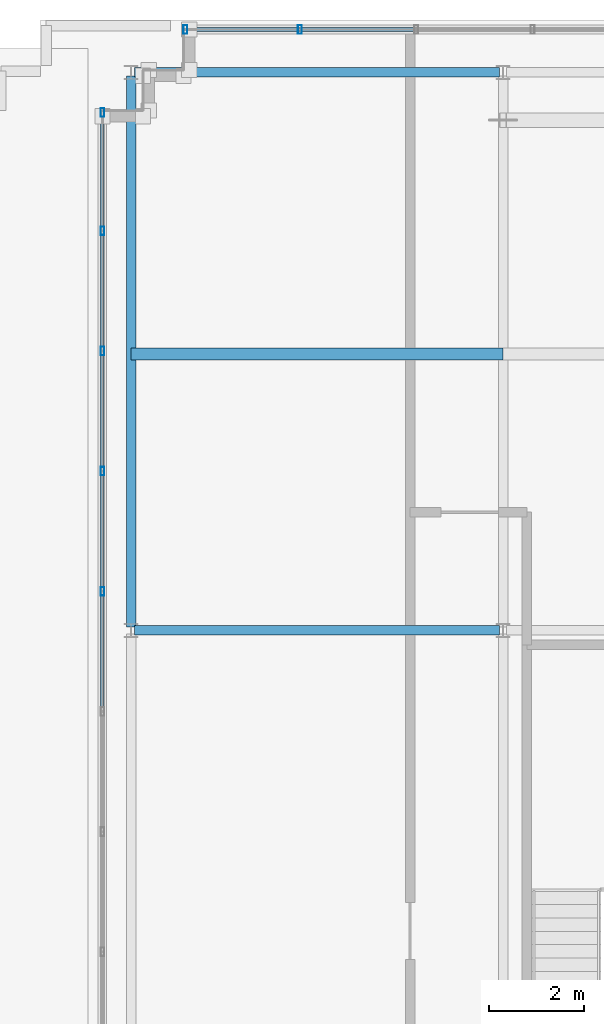
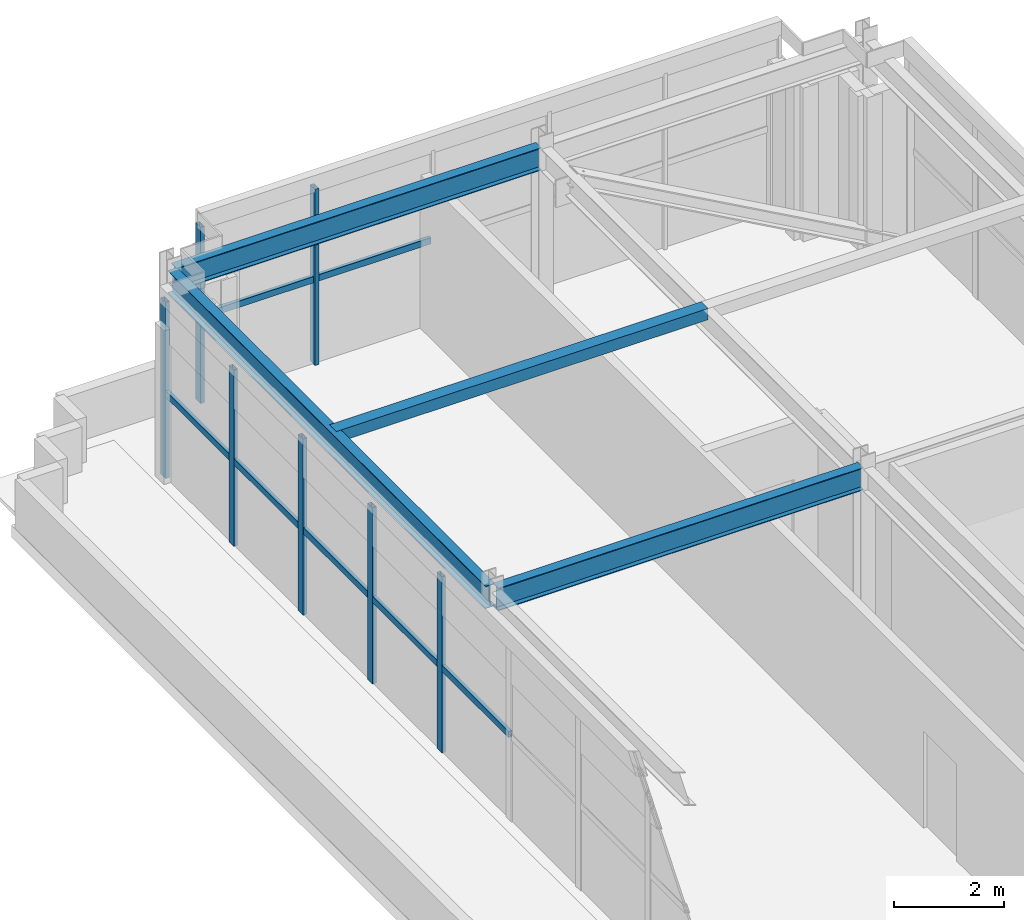
# One storey, part 14 of 25: 15 members, 3 beams, 2 elements without a shape of their own.
"""IFC4 building model written with IfcOpenShell, lengths in metres."""

from ifc_helpers import new_model, si_unit, direction, frame, origin, origin_2d, place, context, subcontext, project, spatial, hollow_rectangle, i_section, extrude, source, transform, mapped, material, material_profile, profile_set, type_object, element, aggregate, save


model = new_model("IFC4")

# Units and contexts
model_context = context("Model", 3, precision=1e-05, world=origin(), true_north=direction((0.0, 1.0)))
body_context = subcontext(model_context, "Body", "Model", "MODEL_VIEW")
ifc_project = project(units=[si_unit("LENGTHUNIT", "METRE"), si_unit("AREAUNIT", "SQUARE_METRE"), si_unit("VOLUMEUNIT", "CUBIC_METRE"), si_unit("PLANEANGLEUNIT", "RADIAN"), si_unit("MASSUNIT", "GRAM", prefix="KILO")], contexts=[model_context])

# Site, building, storey
site_placement = place(None, origin())
site = spatial("IfcSite", under=ifc_project, at=site_placement, CompositionType="ELEMENT")
building_placement = place(site_placement, origin())
building = spatial("IfcBuilding", under=site, at=building_placement, Name="Trelvane Seafront Commons", CompositionType="ELEMENT")
storey_placement = place(building_placement, frame((0.0, 0.0, 316.699951171875)))
storey = spatial("IfcBuildingStorey", under=building, at=storey_placement, Name="L82", CompositionType="ELEMENT", Elevation=316.699951171875)

# Beams
ifc_material_1 = material(Name="Steel SM355 (S355)", Category="steel")
ifc_material_profile_1 = material_profile(ifc_material_1, i_section(OverallWidth=0.199951171875, OverallDepth=0.5, WebThickness=0.010009765625, FlangeThickness=0.01611328125, at=origin_2d()), Name="H-500x200x10x16")
ifc_profile_set_1 = profile_set([ifc_material_profile_1], Name="Steel SM355 (S355)")
beam_type_1 = type_object("IfcBeamType", Name="STR-CROWN-FRAME-RING", PredefinedType="SPANDREL", material=ifc_profile_set_1)
shared_shape_1 = source(origin(), body_context, "Body", "SweptSolid", [
    extrude(i_section(OverallWidth=0.199951171875, OverallDepth=0.5, WebThickness=0.010009765625, FlangeThickness=0.01611328125, at=origin_2d()), origin(), (0.0, 0.0, 1.0), 7.650146484375),
])
for number, where, z_axis, x_axis, name in (
    (1, (51.074951171875, 33.39990234375, 3.66015625), (1.0, 0.0, 0.0), (0.0, 1.0, 0.0), "L82 CROWN FRAME Ring Beam G-07"),
    (2, (51.074951171875, 45.10009765625, 3.66015625), (1.0, 0.0, 0.0), (0.0, 1.0, 0.0), "L82 CROWN FRAME Ring Beam G-11"),
):
    element("IfcBeam", number, at=place(storey_placement, frame(where, z_axis=z_axis, x_axis=x_axis)), inside=storey, type_object=beam_type_1, Name=name, PredefinedType="SPANDREL", context=body_context, shape_type="MappedRepresentation", body=[
        mapped(shared_shape_1, transform((0.0, 0.0, 0.0), x_axis=(1.0, 0.0, 0.0), y_axis=(0.0, 1.0, 0.0), z_axis=(0.0, 0.0, 1.0), scale=1.0)),
    ])
ifc_material_profile_2 = material_profile(ifc_material_1, i_section(OverallWidth=0.199951171875, OverallDepth=0.5, WebThickness=0.010009765625, FlangeThickness=0.01611328125, at=origin_2d()), Name="H-500x200x10x16")
ifc_profile_set_2 = profile_set([ifc_material_profile_2], Name="Steel SM355 (S355)")
beam_type_2 = type_object("IfcBeamType", Name="STR-BM-H500", PredefinedType="BEAM", material=ifc_profile_set_2)
shared_shape_2 = source(origin(), body_context, "Body", "SweptSolid", [
    extrude(i_section(OverallWidth=0.199951171875, OverallDepth=0.5, WebThickness=0.010009765625, FlangeThickness=0.01611328125, at=origin_2d()), origin(), (0.0, 0.0, 1.0), 11.5498046875),
])
beam_placement = place(storey_placement, frame((51.0, 33.47509765625, 3.66015625), z_axis=(0.0, 1.0, 0.0), x_axis=(-1.0, 0.0, 0.0)))
element("IfcBeam", 3, at=beam_placement, inside=storey, type_object=beam_type_2, Name="L82 Primary Girder G-20", PredefinedType="BEAM", context=body_context, shape_type="MappedRepresentation", body=[
    mapped(shared_shape_2, transform((0.0, 0.0, 0.0), x_axis=(1.0, 0.0, 0.0), y_axis=(0.0, 1.0, 0.0), z_axis=(0.0, 0.0, 1.0), scale=1.0)),
])

# Member
ifc_material_profile_3 = material_profile(ifc_material_1, hollow_rectangle(XDim=0.25, YDim=0.25, WallThickness=0.010009765625, at=origin_2d()), Name="RHS-250x250x10")
ifc_profile_set_3 = profile_set([ifc_material_profile_3], Name="Steel SM355 (S355)")
member_type_1 = type_object("IfcMemberType", Name="STR-PUR-RHS250", PredefinedType="PURLIN", material=ifc_profile_set_3)
shared_shape_3 = source(origin(), body_context, "Body", "SweptSolid", [
    extrude(hollow_rectangle(XDim=0.25, YDim=0.25, WallThickness=0.010009765625, at=origin_2d()), origin(), (0.0, 0.0, 1.0), 7.800048828125),
])
member_1_placement = place(storey_placement, frame((51.0, 39.199951171875, 3.78515625), z_axis=(1.0, 0.0, 0.0), x_axis=(0.0, 1.0, 0.0)))
element("IfcMember", 4, at=member_1_placement, inside=storey, type_object=member_type_1, Name="L82 Crown Roof Purlin PR-1", PredefinedType="PURLIN", context=body_context, shape_type="MappedRepresentation", body=[
    mapped(shared_shape_3, transform((0.0, 0.0, 0.0), x_axis=(1.0, 0.0, 0.0), y_axis=(0.0, 1.0, 0.0), z_axis=(0.0, 0.0, 1.0), scale=1.0)),
])

# Curtain wall, members
ifc_material_2 = material(Name="Anodised pale-silver aluminium", Category="aluminium")
curtain_wall_type = type_object("IfcCurtainWallType", Name="ARCH-CW6-CROWN", PredefinedType="NOTDEFINED", material=ifc_material_2)
curtain_wall_1_placement = place(storey_placement, origin())
curtain_wall_1 = element("IfcCurtainWall", 5, at=curtain_wall_1_placement, inside=storey, type_object=curtain_wall_type, Name="CW-L82-0156", PredefinedType="NOTDEFINED")
ifc_material_profile_4 = material_profile(ifc_material_2, hollow_rectangle(XDim=0.080078125, YDim=0.179931640625, WallThickness=0.00439453125, at=origin_2d()), Name="MULL-80x180x4.5")
ifc_profile_set_4 = profile_set([ifc_material_profile_4], Name="Anodised pale-silver aluminium")
member_type_2 = type_object("IfcMemberType", Name="ARCH-CW-MULL-180", PredefinedType="MULLION", material=ifc_profile_set_4)
shared_shape_4 = source(origin(), body_context, "Body", "SweptSolid", [
    extrude(hollow_rectangle(XDim=0.080078125, YDim=0.179931640625, WallThickness=0.00439453125, at=origin_2d()), origin(), (0.0, 0.0, 1.0), 3.91015625),
])
member_2_placement = place(storey_placement, frame((50.39990234375, 34.219970703125, 0.0), z_axis=(0.0, 0.0, 1.0), x_axis=(1.0, 0.0, 0.0)))
member_2 = element("IfcMember", 6, at=member_2_placement, type_object=member_type_2, Name="CW-L82-0156-M06", PredefinedType="MULLION", context=body_context, shape_type="MappedRepresentation", body=[
    mapped(shared_shape_4, transform((0.0, 0.0, 0.0), x_axis=(1.0, 0.0, 0.0), y_axis=(0.0, 1.0, 0.0), z_axis=(0.0, 0.0, 1.0), scale=1.0)),
])
member_3_placement = place(storey_placement, frame((50.39990234375, 36.739990234375, 0.0), z_axis=(0.0, 0.0, 1.0), x_axis=(1.0, 0.0, 0.0)))
member_3 = element("IfcMember", 7, at=member_3_placement, type_object=member_type_2, Name="CW-L82-0156-M07", PredefinedType="MULLION", context=body_context, shape_type="MappedRepresentation", body=[
    mapped(shared_shape_4, transform((0.0, 0.0, 0.0), x_axis=(1.0, 0.0, 0.0), y_axis=(0.0, 1.0, 0.0), z_axis=(0.0, 0.0, 1.0), scale=1.0)),
])
member_4_placement = place(storey_placement, frame((50.39990234375, 39.260009765625, 0.0), z_axis=(0.0, 0.0, 1.0), x_axis=(1.0, 0.0, 0.0)))
member_4 = element("IfcMember", 8, at=member_4_placement, type_object=member_type_2, Name="CW-L82-0156-M08", PredefinedType="MULLION", context=body_context, shape_type="MappedRepresentation", body=[
    mapped(shared_shape_4, transform((0.0, 0.0, 0.0), x_axis=(1.0, 0.0, 0.0), y_axis=(0.0, 1.0, 0.0), z_axis=(0.0, 0.0, 1.0), scale=1.0)),
])
member_5_placement = place(storey_placement, frame((50.39990234375, 41.780029296875, 0.0), z_axis=(0.0, 0.0, 1.0), x_axis=(1.0, 0.0, 0.0)))
member_5 = element("IfcMember", 9, at=member_5_placement, type_object=member_type_2, Name="CW-L82-0156-M09", PredefinedType="MULLION", context=body_context, shape_type="MappedRepresentation", body=[
    mapped(shared_shape_4, transform((0.0, 0.0, 0.0), x_axis=(1.0, 0.0, 0.0), y_axis=(0.0, 1.0, 0.0), z_axis=(0.0, 0.0, 1.0), scale=1.0)),
])
member_6_placement = place(storey_placement, frame((50.39990234375, 44.260009765625, 0.0), z_axis=(0.0, 0.0, 1.0), x_axis=(1.0, 0.0, 0.0)))
member_6 = element("IfcMember", 10, at=member_6_placement, type_object=member_type_2, Name="CW-L82-0156-M10", PredefinedType="MULLION", context=body_context, shape_type="MappedRepresentation", body=[
    mapped(shared_shape_4, transform((0.0, 0.0, 0.0), x_axis=(1.0, 0.0, 0.0), y_axis=(0.0, 1.0, 0.0), z_axis=(0.0, 0.0, 1.0), scale=1.0)),
])

curtain_wall_2_placement = place(storey_placement, origin())
curtain_wall_2 = element("IfcCurtainWall", 11, at=curtain_wall_2_placement, inside=storey, type_object=curtain_wall_type, Name="CW-L82-0157", PredefinedType="NOTDEFINED")
member_7_placement = place(storey_placement, frame((52.139892578125, 46.0, 0.0), z_axis=(0.0, 0.0, 1.0), x_axis=(1.0, 0.0, 0.0)))
member_7 = element("IfcMember", 12, at=member_7_placement, type_object=member_type_2, Name="CW-L82-0157-M00", PredefinedType="MULLION", context=body_context, shape_type="MappedRepresentation", body=[
    mapped(shared_shape_4, transform((0.0, 0.0, 0.0), x_axis=(1.0, 0.0, 0.0), y_axis=(0.0, 1.0, 0.0), z_axis=(0.0, 0.0, 1.0), scale=1.0)),
])
member_8_placement = place(storey_placement, frame((54.5400390625, 46.0, 0.0), z_axis=(0.0, 0.0, 1.0), x_axis=(1.0, 0.0, 0.0)))
member_8 = element("IfcMember", 13, at=member_8_placement, type_object=member_type_2, Name="CW-L82-0157-M01", PredefinedType="MULLION", context=body_context, shape_type="MappedRepresentation", body=[
    mapped(shared_shape_4, transform((0.0, 0.0, 0.0), x_axis=(1.0, 0.0, 0.0), y_axis=(0.0, 1.0, 0.0), z_axis=(0.0, 0.0, 1.0), scale=1.0)),
])

# Member
ifc_material_profile_5 = material_profile(ifc_material_2, hollow_rectangle(XDim=0.074951171875, YDim=0.139892578125, WallThickness=0.00390625, at=origin_2d()), Name="TRAN-75x140x4")
ifc_profile_set_5 = profile_set([ifc_material_profile_5], Name="Anodised pale-silver aluminium")
member_type_3 = type_object("IfcMemberType", Name="ARCH-CW-TRAN-140", PredefinedType="USERDEFINED", material=ifc_profile_set_5)
shared_shape_5 = source(origin(), body_context, "Body", "SweptSolid", [
    extrude(hollow_rectangle(XDim=0.074951171875, YDim=0.139892578125, WallThickness=0.00390625, at=origin_2d()), origin(), (0.0, 0.0, 1.0), 2.49609375),
])
member_9_placement = place(storey_placement, frame((50.39990234375, 31.7119140625, 1.876953125), z_axis=(0.0, 1.0, 0.0), x_axis=(-1.0, 0.0, 0.0)))
member_9 = element("IfcMember", 14, at=member_9_placement, type_object=member_type_3, Name="CW-L82-0156-T05", ObjectType="TRANSOM", PredefinedType="USERDEFINED", context=body_context, shape_type="MappedRepresentation", body=[
    mapped(shared_shape_5, transform((0.0, 0.0, 0.0), x_axis=(1.0, 0.0, 0.0), y_axis=(0.0, 1.0, 0.0), z_axis=(0.0, 0.0, 1.0), scale=1.0)),
])

member_10_placement = place(storey_placement, frame((50.39990234375, 34.23193359375, 1.876953125), z_axis=(0.0, 1.0, 0.0), x_axis=(-1.0, 0.0, 0.0)))
member_10 = element("IfcMember", 15, at=member_10_placement, type_object=member_type_3, Name="CW-L82-0156-T06", ObjectType="TRANSOM", PredefinedType="USERDEFINED", context=body_context, shape_type="MappedRepresentation", body=[
    mapped(shared_shape_5, transform((0.0, 0.0, 0.0), x_axis=(1.0, 0.0, 0.0), y_axis=(0.0, 1.0, 0.0), z_axis=(0.0, 0.0, 1.0), scale=1.0)),
])

member_11_placement = place(storey_placement, frame((50.39990234375, 36.751953125, 1.876953125), z_axis=(0.0, 1.0, 0.0), x_axis=(-1.0, 0.0, 0.0)))
member_11 = element("IfcMember", 16, at=member_11_placement, type_object=member_type_3, Name="CW-L82-0156-T07", ObjectType="TRANSOM", PredefinedType="USERDEFINED", context=body_context, shape_type="MappedRepresentation", body=[
    mapped(shared_shape_5, transform((0.0, 0.0, 0.0), x_axis=(1.0, 0.0, 0.0), y_axis=(0.0, 1.0, 0.0), z_axis=(0.0, 0.0, 1.0), scale=1.0)),
])

member_12_placement = place(storey_placement, frame((50.39990234375, 39.27197265625, 1.876953125), z_axis=(0.0, 1.0, 0.0), x_axis=(-1.0, 0.0, 0.0)))
member_12 = element("IfcMember", 17, at=member_12_placement, type_object=member_type_3, Name="CW-L82-0156-T08", ObjectType="TRANSOM", PredefinedType="USERDEFINED", context=body_context, shape_type="MappedRepresentation", body=[
    mapped(shared_shape_5, transform((0.0, 0.0, 0.0), x_axis=(1.0, 0.0, 0.0), y_axis=(0.0, 1.0, 0.0), z_axis=(0.0, 0.0, 1.0), scale=1.0)),
])

member_13_placement = place(storey_placement, frame((50.39990234375, 41.7919921875, 1.876953125), z_axis=(0.0, 1.0, 0.0), x_axis=(-1.0, 0.0, 0.0)))
member_13 = element("IfcMember", 18, at=member_13_placement, type_object=member_type_3, Name="CW-L82-0156-T09", ObjectType="TRANSOM", PredefinedType="USERDEFINED", context=body_context, shape_type="MappedRepresentation", body=[
    mapped(shared_shape_5, transform((0.0, 0.0, 0.0), x_axis=(1.0, 0.0, 0.0), y_axis=(0.0, 1.0, 0.0), z_axis=(0.0, 0.0, 1.0), scale=1.0)),
])

aggregate(curtain_wall_1, [member_2, member_3, member_4, member_5, member_6, member_9, member_10, member_11, member_12, member_13])

shared_shape_6 = source(origin(), body_context, "Body", "SweptSolid", [
    extrude(hollow_rectangle(XDim=0.074951171875, YDim=0.139892578125, WallThickness=0.00390625, at=origin_2d()), origin(), (0.0, 0.0, 1.0), 2.416015625),
])
member_14_placement = place(storey_placement, frame((52.112060546875, 46.0, 1.876953125), z_axis=(1.0, 0.0, 0.0), x_axis=(0.0, 1.0, 0.0)))
member_14 = element("IfcMember", 19, at=member_14_placement, type_object=member_type_3, Name="CW-L82-0157-T00", ObjectType="TRANSOM", PredefinedType="USERDEFINED", context=body_context, shape_type="MappedRepresentation", body=[
    mapped(shared_shape_6, transform((0.0, 0.0, 0.0), x_axis=(1.0, 0.0, 0.0), y_axis=(0.0, 1.0, 0.0), z_axis=(0.0, 0.0, 1.0), scale=1.0)),
])

member_15_placement = place(storey_placement, frame((54.552001953125, 46.0, 1.876953125), z_axis=(1.0, 0.0, 0.0), x_axis=(0.0, 1.0, 0.0)))
member_15 = element("IfcMember", 20, at=member_15_placement, type_object=member_type_3, Name="CW-L82-0157-T01", ObjectType="TRANSOM", PredefinedType="USERDEFINED", context=body_context, shape_type="MappedRepresentation", body=[
    mapped(shared_shape_6, transform((0.0, 0.0, 0.0), x_axis=(1.0, 0.0, 0.0), y_axis=(0.0, 1.0, 0.0), z_axis=(0.0, 0.0, 1.0), scale=1.0)),
])

aggregate(curtain_wall_2, [member_7, member_8, member_14, member_15])

save(model, "model.ifc")
